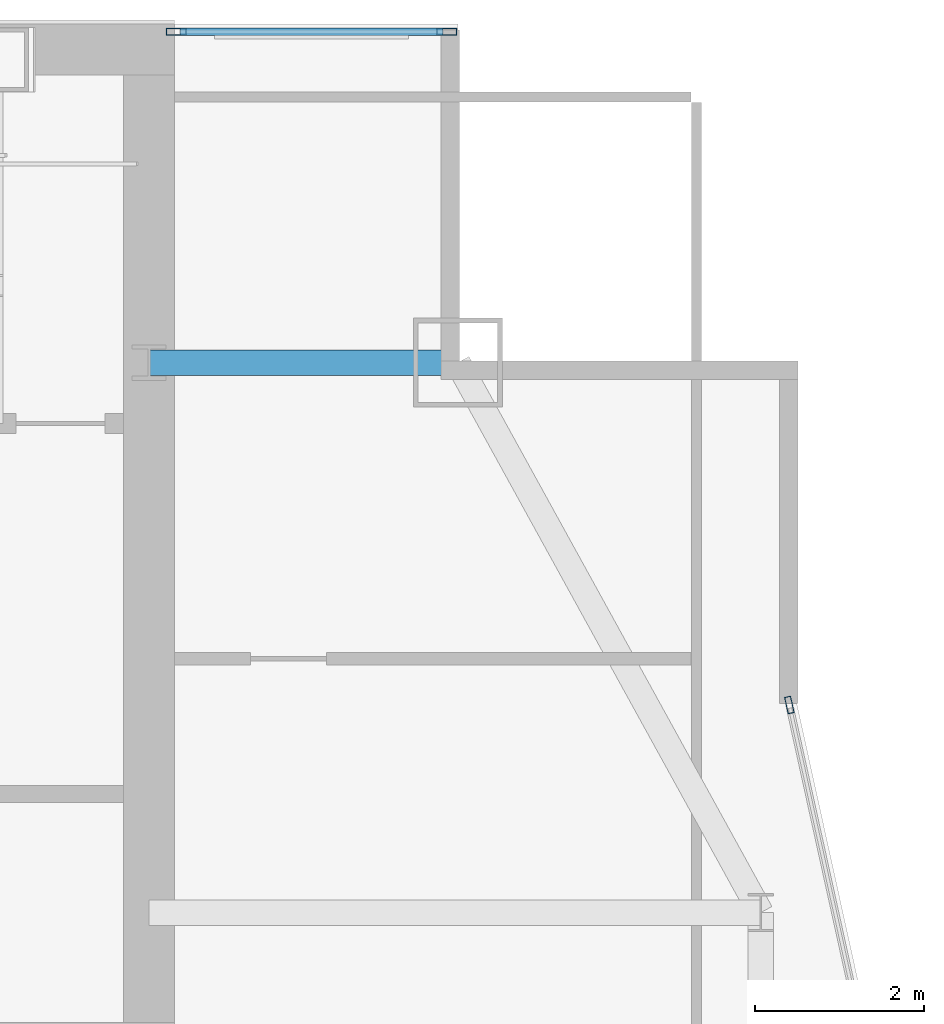
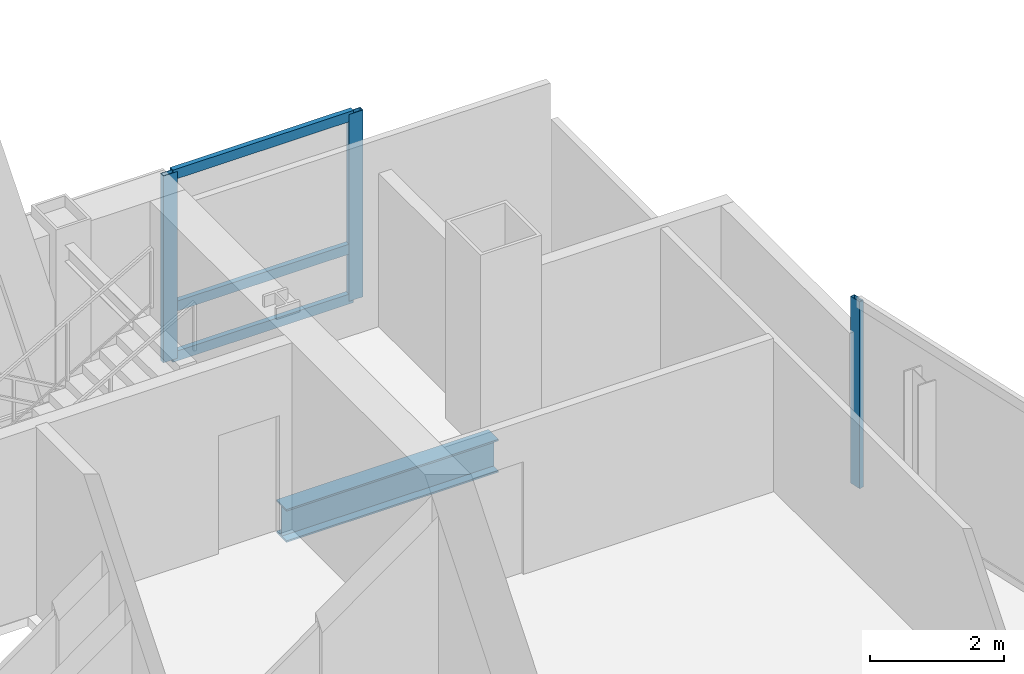
# One storey, part 24 of 31: 6 members, 1 beam, 2 elements without a shape of their own.
"""IFC4 building model written with IfcOpenShell, lengths in metres."""

from ifc_helpers import new_model, si_unit, direction, frame, origin, origin_2d, place, context, subcontext, project, spatial, hollow_rectangle, i_section, extrude, material, material_profile, profile_set, type_object, element, aggregate, save


model = new_model("IFC4")

# Units and contexts
model_context = context("Model", 3, precision=1e-05, world=origin(), true_north=direction((0.0, 1.0)))
body_context = subcontext(model_context, "Body", "Model", "MODEL_VIEW")
ifc_project = project(units=[si_unit("LENGTHUNIT", "METRE"), si_unit("AREAUNIT", "SQUARE_METRE"), si_unit("VOLUMEUNIT", "CUBIC_METRE"), si_unit("PLANEANGLEUNIT", "RADIAN"), si_unit("MASSUNIT", "GRAM", prefix="KILO")], contexts=[model_context])

# Site, building, storey
site_placement = place(None, origin())
site = spatial("IfcSite", under=ifc_project, at=site_placement, CompositionType="ELEMENT")
building_placement = place(site_placement, origin())
building = spatial("IfcBuilding", under=site, at=building_placement, Name="Khoronbel Lancet Exchange", CompositionType="ELEMENT")
storey_placement = place(building_placement, frame((0.0, 0.0, 261.800048828125)))
storey = spatial("IfcBuildingStorey", under=building, at=storey_placement, Name="L67", CompositionType="ELEMENT", Elevation=261.800048828125)

# Beam
ifc_material_1 = material(Name="Steel S355", Category="steel")
ifc_material_profile_1 = material_profile(ifc_material_1, i_section(OverallWidth=0.300048828125, OverallDepth=0.60009765625, WebThickness=0.015380859375, FlangeThickness=0.030029296875, at=origin_2d()), Name="HEB 600")
ifc_profile_set_1 = profile_set([ifc_material_profile_1], Name="Steel S355")
beam_type = type_object("IfcBeamType", Name="BM-BSP2", PredefinedType="SPANDREL", material=ifc_profile_set_1)
beam_placement = place(storey_placement, frame((60.050048828125, 49.699951171875, -0.4599609375), z_axis=(-1.0, 0.0, 0.0), x_axis=(0.0, -1.0, 0.0)))
element("IfcBeam", 1, at=beam_placement, inside=storey, type_object=beam_type, Name="Level L67 north flank tie spandrel SP23", PredefinedType="SPANDREL", context=body_context, shape_type="SweptSolid", body=[
    extrude(i_section(OverallWidth=0.300048828125, OverallDepth=0.60009765625, WebThickness=0.015380859375, FlangeThickness=0.030029296875, at=origin_2d()), origin(), (0.0, 0.0, 1.0), 3.650146484375),
])

# Curtain wall, members
ifc_material_2 = material(Name="Low-E Solar Control Insulating Glass", Category="glass")
curtain_wall_type_1 = type_object("IfcCurtainWallType", Name="CW-3", PredefinedType="NOTDEFINED", material=ifc_material_2)
curtain_wall_1_placement = place(storey_placement, origin())
curtain_wall_1 = element("IfcCurtainWall", 2, at=curtain_wall_1_placement, inside=storey, type_object=curtain_wall_type_1, Name="Unitised curtain wall CW-L67-NEFLK", PredefinedType="NOTDEFINED")
ifc_material_3 = material(Name="Bronze-Anodised Aluminium 6063-T6", Category="aluminium")
ifc_material_profile_2 = material_profile(ifc_material_3, hollow_rectangle(XDim=0.0849609375, YDim=0.239990234375, WallThickness=0.006103515625, at=origin_2d()), Name="ALU MULLION 85x240")
ifc_profile_set_2 = profile_set([ifc_material_profile_2], Name="Bronze-Anodised Aluminium 6063-T6")
member_type_1 = type_object("IfcMemberType", Name="MEM-CWM1", PredefinedType="MULLION", material=ifc_profile_set_2)
member_1_placement = place(storey_placement, frame((59.91748046875, 53.610107421875, 0.0), z_axis=(0.0, 0.0, 1.0), x_axis=(0.0, -1.0, 0.0)))
member_1 = element("IfcMember", 3, at=member_1_placement, type_object=member_type_1, Name="CW3 mullion 1", PredefinedType="MULLION", context=body_context, shape_type="SweptSolid", body=[
    extrude(hollow_rectangle(XDim=0.0849609375, YDim=0.239990234375, WallThickness=0.006103515625, at=origin_2d()), origin(), (0.0, 0.0, 1.0), 3.39990234375),
])
member_2_placement = place(storey_placement, frame((56.722412109375, 53.610107421875, 0.0), z_axis=(0.0, 0.0, 1.0), x_axis=(0.0, -1.0, 0.0)))
member_2 = element("IfcMember", 4, at=member_2_placement, type_object=member_type_1, Name="CW3 mullion 2", PredefinedType="MULLION", context=body_context, shape_type="SweptSolid", body=[
    extrude(hollow_rectangle(XDim=0.0849609375, YDim=0.239990234375, WallThickness=0.006103515625, at=origin_2d()), origin(), (0.0, 0.0, 1.0), 3.39990234375),
])

# Curtain wall, member
curtain_wall_type_2 = type_object("IfcCurtainWallType", Name="CW-4", PredefinedType="NOTDEFINED", material=ifc_material_2)
curtain_wall_2_placement = place(storey_placement, origin())
curtain_wall_2 = element("IfcCurtainWall", 5, at=curtain_wall_2_placement, inside=storey, type_object=curtain_wall_type_2, Name="Unitised curtain wall CW-L67-E17", PredefinedType="NOTDEFINED")
ifc_material_profile_3 = material_profile(ifc_material_3, hollow_rectangle(XDim=0.074951171875, YDim=0.199951171875, WallThickness=0.0048828125, at=origin_2d()), Name="ALU MULLION 75x200")
ifc_profile_set_3 = profile_set([ifc_material_profile_3], Name="Bronze-Anodised Aluminium 6063-T6")
member_type_2 = type_object("IfcMemberType", Name="MEM-CWM2", PredefinedType="MULLION", material=ifc_profile_set_3)
member_3_placement = place(storey_placement, frame((63.968017578125, 45.653564453125, 0.0), z_axis=(0.0, 0.0, 1.0), x_axis=(0.976509102721, 0.215476152515, 0.0)))
member_3 = element("IfcMember", 6, at=member_3_placement, type_object=member_type_2, Name="CW4 mullion 1", PredefinedType="MULLION", context=body_context, shape_type="SweptSolid", body=[
    extrude(hollow_rectangle(XDim=0.074951171875, YDim=0.199951171875, WallThickness=0.0048828125, at=origin_2d()), origin(), (0.0, 0.0, 1.0), 3.39990234375),
])
aggregate(curtain_wall_2, [member_3])

# Member
ifc_material_profile_4 = material_profile(ifc_material_3, hollow_rectangle(XDim=0.0849609375, YDim=0.179931640625, WallThickness=0.0048828125, at=origin_2d()), Name="ALU TRANSOM 85x180")
ifc_profile_set_4 = profile_set([ifc_material_profile_4], Name="Bronze-Anodised Aluminium 6063-T6")
member_type_3 = type_object("IfcMemberType", Name="MEM-CWT1", PredefinedType="USERDEFINED", material=ifc_profile_set_4)
member_4_placement = place(storey_placement, frame((59.875, 53.610107421875, 0.04248046875), z_axis=(-1.0, 0.0, 0.0), x_axis=(0.0, -1.0, 0.0)))
member_4 = element("IfcMember", 7, at=member_4_placement, type_object=member_type_3, Name="CW3 transom 1.1", ObjectType="TRANSOM", PredefinedType="USERDEFINED", context=body_context, shape_type="SweptSolid", body=[
    extrude(hollow_rectangle(XDim=0.0849609375, YDim=0.179931640625, WallThickness=0.0048828125, at=origin_2d()), origin(), (0.0, 0.0, 1.0), 3.110107421875),
])

member_5_placement = place(storey_placement, frame((59.875, 53.610107421875, 0.949951171875), z_axis=(-1.0, 0.0, 0.0), x_axis=(0.0, -1.0, 0.0)))
member_5 = element("IfcMember", 8, at=member_5_placement, type_object=member_type_3, Name="CW3 transom 1.2", ObjectType="TRANSOM", PredefinedType="USERDEFINED", context=body_context, shape_type="SweptSolid", body=[
    extrude(hollow_rectangle(XDim=0.0849609375, YDim=0.179931640625, WallThickness=0.0048828125, at=origin_2d()), origin(), (0.0, 0.0, 1.0), 3.110107421875),
])

member_6_placement = place(storey_placement, frame((59.875, 53.610107421875, 3.357421875), z_axis=(-1.0, 0.0, 0.0), x_axis=(0.0, -1.0, 0.0)))
member_6 = element("IfcMember", 9, at=member_6_placement, type_object=member_type_3, Name="CW3 transom 1.3", ObjectType="TRANSOM", PredefinedType="USERDEFINED", context=body_context, shape_type="SweptSolid", body=[
    extrude(hollow_rectangle(XDim=0.0849609375, YDim=0.179931640625, WallThickness=0.0048828125, at=origin_2d()), origin(), (0.0, 0.0, 1.0), 3.110107421875),
])

aggregate(curtain_wall_1, [member_1, member_2, member_4, member_5, member_6])

save(model, "model.ifc")
